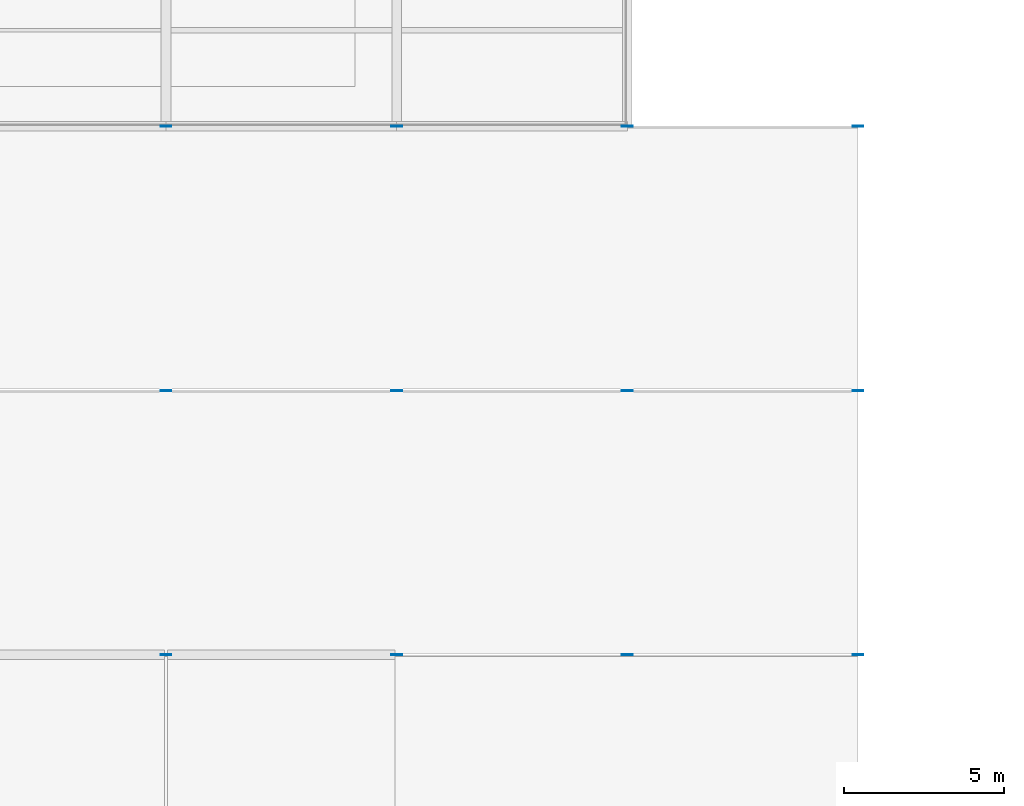
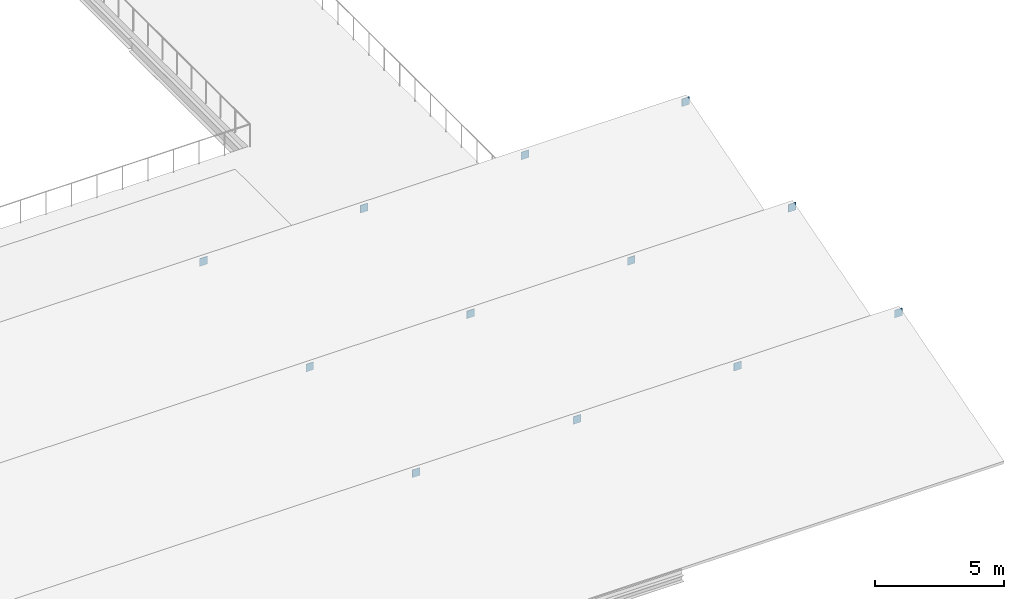
# One storey, part 32 of 54: 12 plates.
"""IFC4 building model written with IfcOpenShell, lengths in metres."""

import ifcopenshell
import ifcopenshell.guid

model = None  # the IFC model being written
_history = None  # IfcOwnerHistory: only IFC2X3 demands one
_inside = {}  # id of a spatial element -> (the spatial element, [elements in it])
_under = {}  # id of a project, library or spatial element -> (it, [spatial elements below it])
_declared = {}  # id of a project -> (the project, [libraries it declares])
_typed = {}  # id of a type object -> (the type object, [elements of that type])
_made_of = {}  # id of a material, layer set ... -> (it, [elements and type objects made of it])


def new_model(schema):
    """Start an empty IFC model of exactly this schema.

    Asked for "IFC4X3", IfcOpenShell would pick the latest addendum, in which some entities
    have other attributes; the version numbers below select the first issue.
    IFC2X3 requires an IfcOwnerHistory on every rooted entity: one is made here for all.
    """
    global model, _history
    if schema == "IFC4X3":
        model = ifcopenshell.file(schema_version=(4, 3, 0, 0))
    else:
        model = ifcopenshell.file(schema=schema)
    _inside.clear()
    _under.clear()
    _declared.clear()
    _typed.clear()
    _made_of.clear()
    _history = None
    if model.schema == "IFC2X3":
        org = make("IfcOrganization", Name="unknown")
        user = make(
            "IfcPersonAndOrganization",
            ThePerson=make("IfcPerson", FamilyName="unknown"),
            TheOrganization=org,
        )
        app = make(
            "IfcApplication",
            ApplicationDeveloper=org,
            Version="unknown",
            ApplicationFullName="unknown",
            ApplicationIdentifier="unknown",
        )
        _history = make(
            "IfcOwnerHistory",
            OwningUser=user,
            OwningApplication=app,
            ChangeAction="ADDED",
            CreationDate=0,
        )
    return model


def make(cls, **values):
    """One entity of the class cls with the attributes given. An attribute that is None is left unset."""
    return model.create_entity(
        cls, **{name: value for name, value in values.items() if value is not None}
    )


def rooted(cls, **values):
    """An entity with a GlobalId (a new one), such as an element, a storey or a relation."""
    return make(cls, GlobalId=ifcopenshell.guid.new(), OwnerHistory=_history, **values)


def si_unit(unit_type, name, prefix=None):
    """IfcSIUnit, for example si_unit("LENGTHUNIT", "METRE", prefix="MILLI")."""
    return make("IfcSIUnit", UnitType=unit_type, Prefix=prefix, Name=name)


def assignment(units):
    """IfcUnitAssignment: the units of a project."""
    return None if units is None else make("IfcUnitAssignment", Units=units)


def point(xyz):
    """IfcCartesianPoint."""
    return None if xyz is None else make("IfcCartesianPoint", Coordinates=xyz)


def direction(xyz):
    """IfcDirection."""
    return None if xyz is None else make("IfcDirection", DirectionRatios=xyz)


def frame(location, z_axis=None, x_axis=None):
    """IfcAxis2Placement3D, a coordinate frame: its origin and axes. An axis left out is left unset."""
    return make(
        "IfcAxis2Placement3D",
        Location=point(location),
        Axis=direction(z_axis),
        RefDirection=direction(x_axis),
    )


def frame_2d(location, x_axis=None):
    """IfcAxis2Placement2D, a coordinate frame in the plane: its origin and x axis."""
    return make(
        "IfcAxis2Placement2D", Location=point(location), RefDirection=direction(x_axis)
    )


def origin():
    """The frame at (0, 0, 0) with its axes left unset."""
    return frame((0.0, 0.0, 0.0))


def origin_2d():
    """The frame at (0, 0) in the plane with its x axis left unset."""
    return frame_2d((0.0, 0.0))


def place(relative_to, where):
    """IfcLocalPlacement: puts the frame where relative to a parent placement (None: the world)."""
    return make(
        "IfcLocalPlacement", PlacementRelTo=relative_to, RelativePlacement=where
    )


def context(
    kind, dimensions, precision=None, world=None, true_north=None, identifier=None
):
    """IfcGeometricRepresentationContext, for example the 3D "Model" context."""
    return make(
        "IfcGeometricRepresentationContext",
        ContextIdentifier=identifier,
        ContextType=kind,
        CoordinateSpaceDimension=dimensions,
        Precision=precision,
        WorldCoordinateSystem=world,
        TrueNorth=true_north,
    )


def subcontext(parent, identifier, kind, view, scale=None):
    """IfcGeometricRepresentationSubContext, for example "Body" below "Model"."""
    return make(
        "IfcGeometricRepresentationSubContext",
        ContextIdentifier=identifier,
        ContextType=kind,
        ParentContext=parent,
        TargetScale=scale,
        TargetView=view,
    )


def project(units=None, contexts=None):
    """IfcProject with its units and contexts."""
    return rooted(
        "IfcProject",
        Name="project",
        RepresentationContexts=contexts,
        UnitsInContext=assignment(units),
    )


def spatial(cls, under=None, at=None, **own):
    """A site, building, storey or space (cls), placed at a placement, below another one or the project."""
    s = rooted(cls, ObjectPlacement=at, **own)
    if under is not None:
        _under.setdefault(under.id(), (under, []))[1].append(s)
    return s


def profile(cls, at=None, kind="AREA", **sizes):
    """A parametric profile (cls). Its sizes go by their IFC names, for example OverallWidth=200.0."""
    return make(cls, ProfileType=kind, Position=at, **sizes)


def rectangle(**sizes):
    """IfcRectangleProfileDef."""
    return profile("IfcRectangleProfileDef", **sizes)


def extrude(swept, where, along, depth):
    """IfcExtrudedAreaSolid: the profile swept, set in the frame where, extruded along a direction by depth."""
    return make(
        "IfcExtrudedAreaSolid",
        SweptArea=swept,
        Position=where,
        ExtrudedDirection=direction(along),
        Depth=depth,
    )


def shape(context_of_items, identifier, shape_type, items):
    """IfcShapeRepresentation: the items that make up one representation, for example the "Body"."""
    return make(
        "IfcShapeRepresentation",
        ContextOfItems=context_of_items,
        RepresentationIdentifier=identifier,
        RepresentationType=shape_type,
        Items=items,
    )


def material(Name=None, Category=None):
    """IfcMaterial."""
    return make("IfcMaterial", Name=Name, Category=Category)


def layer(
    of_material, thickness, ventilated=None, Name=None, Category=None, Priority=None
):
    """IfcMaterialLayer: one layer of a wall or slab, of a material (None: an air gap)."""
    return make(
        "IfcMaterialLayer",
        Material=of_material,
        LayerThickness=thickness,
        IsVentilated=ventilated,
        Name=Name,
        Category=Category,
        Priority=Priority,
    )


def layer_set(layers, Name=None):
    """IfcMaterialLayerSet."""
    return make("IfcMaterialLayerSet", MaterialLayers=layers, LayerSetName=Name)


def made_of(thing, what):
    """Note that an element or type object is made of a material, layer set ...; save() writes the relation."""
    if what is not None:
        _made_of.setdefault(what.id(), (what, []))[1].append(thing)
    return thing


def type_object(cls, material=None, **own):
    """A type object (cls), such as IfcWallType, which elements share."""
    return made_of(rooted(cls, **own), material)


def element(
    cls,
    number,
    at=None,
    inside=None,
    cuts=None,
    type_object=None,
    material=None,
    context=None,
    identifier="Body",
    shape_type=None,
    held_by="IfcProductDefinitionShape",
    body=None,
    shapes=None,
    **own,
):
    """One element of the class cls, such as IfcWall. Its Tag is "e" and its number.

    at: its placement. inside: the storey or other place that contains it. cuts: it is an
    opening in that element (IfcRelVoidsElement). A single representation is given by context,
    identifier, shape_type and body (its items); several are given by shapes. held_by: the class
    of the entity that holds the representations. save() writes the other relations.
    """
    e = rooted(cls, Tag="e%d" % number, ObjectPlacement=at, **own)
    if body is not None:
        shapes = [shape(context, identifier, shape_type, body)]
    if shapes is not None:
        e.Representation = make(held_by, Representations=shapes)
    if inside is not None:
        _inside.setdefault(inside.id(), (inside, []))[1].append(e)
    if cuts is not None:
        rooted(
            "IfcRelVoidsElement", RelatingBuildingElement=cuts, RelatedOpeningElement=e
        )
    if type_object is not None:
        _typed.setdefault(type_object.id(), (type_object, []))[1].append(e)
    return made_of(e, material)


def aggregate(whole, parts):
    """IfcRelAggregates: a whole, such as a stair, and the parts it consists of."""
    return rooted("IfcRelAggregates", RelatingObject=whole, RelatedObjects=parts)


def save(model, path):
    """Write the relations noted so far, then the file.

    IfcRelAggregates (storeys below a building ...), IfcRelContainedInSpatialStructure (elements
    in a storey), IfcRelDefinesByType, IfcRelAssociatesMaterial and IfcRelDeclares: one each for
    every whole, place, type object, material and project.
    """
    for whole, parts in _under.values():
        aggregate(whole, parts)
    for where, things in _inside.values():
        rooted(
            "IfcRelContainedInSpatialStructure",
            RelatedElements=things,
            RelatingStructure=where,
        )
    for kind, things in _typed.values():
        rooted("IfcRelDefinesByType", RelatedObjects=things, RelatingType=kind)
    for what, things in _made_of.values():
        rooted("IfcRelAssociatesMaterial", RelatedObjects=things, RelatingMaterial=what)
    for by, libraries in _declared.values():
        rooted("IfcRelDeclares", RelatingContext=by, RelatedDefinitions=libraries)
    model.write(path)


model = new_model("IFC4")

# Units and contexts
model_context = context("Model", 3, precision=1e-05, world=origin(), true_north=direction((0.0, 1.0)))
body_context = subcontext(model_context, "Body", "Model", "MODEL_VIEW")
ifc_project = project(units=[si_unit("LENGTHUNIT", "METRE"), si_unit("AREAUNIT", "SQUARE_METRE"), si_unit("VOLUMEUNIT", "CUBIC_METRE"), si_unit("PLANEANGLEUNIT", "RADIAN"), si_unit("MASSUNIT", "GRAM", prefix="KILO")], contexts=[model_context])

# Site, building, storey
site_placement = place(None, origin())
site = spatial("IfcSite", under=ifc_project, at=site_placement, CompositionType="ELEMENT")
building_placement = place(site_placement, origin())
building = spatial("IfcBuilding", under=site, at=building_placement, Name="Sundgate Opera House", CompositionType="ELEMENT")
storey_placement = place(building_placement, frame((0.0, 0.0, 16.800048828125)))
storey = spatial("IfcBuildingStorey", under=building, at=storey_placement, Name="L03", CompositionType="ELEMENT", Elevation=16.800048828125)

# Plates
ifc_material = material(Name="Steel S355J2", Category="steel")
ifc_layer = layer(ifc_material, 0.02587890625)
ifc_layer_set = layer_set([ifc_layer], Name="Steel S355J2")
plate_type = type_object("IfcPlateType", Name="PT-BAS-26", PredefinedType="USERDEFINED", material=ifc_layer_set)
for number, where, z_axis, x_axis, name in (
    (1, (131.39990234375, 16.5, 2.3701171875), (0.0, 0.0, 1.0), (1.0, 0.0, 0.0), "Sawtooth Rafter End Cap PT0803"),
    (2, (138.60009765625, 16.5, 2.3701171875), (0.0, 0.0, 1.0), (1.0, 0.0, 0.0), "Sawtooth Rafter End Cap PT0805"),
    (3, (145.800048828125, 16.5, 2.3701171875), (0.0, 0.0, 1.0), (1.0, 0.0, 0.0), "Sawtooth Rafter End Cap PT0807"),
    (4, (153.0, 16.5, 2.3701171875), (0.0, 0.0, 1.0), (1.0, 0.0, 0.0), "Sawtooth Rafter End Cap PT0809"),
    (5, (131.39990234375, 24.75, 2.3701171875), (0.0, 0.0, 1.0), (1.0, 0.0, 0.0), "Sawtooth Rafter End Cap PT0821"),
    (6, (138.60009765625, 24.75, 2.3701171875), (0.0, 0.0, 1.0), (1.0, 0.0, 0.0), "Sawtooth Rafter End Cap PT0823"),
    (7, (145.800048828125, 24.75, 2.3701171875), (0.0, 0.0, 1.0), (1.0, 0.0, 0.0), "Sawtooth Rafter End Cap PT0825"),
    (8, (153.0, 24.75, 2.3701171875), (0.0, 0.0, 1.0), (1.0, 0.0, 0.0), "Sawtooth Rafter End Cap PT0827"),
    (9, (131.39990234375, 33.0, 2.3701171875), (0.0, 0.0, 1.0), (1.0, 0.0, 0.0), "Sawtooth Rafter End Cap PT0839"),
    (10, (138.60009765625, 33.0, 2.3701171875), (0.0, 0.0, 1.0), (1.0, 0.0, 0.0), "Sawtooth Rafter End Cap PT0841"),
    (11, (145.800048828125, 33.0, 2.3701171875), (0.0, 0.0, 1.0), (1.0, 0.0, 0.0), "Sawtooth Rafter End Cap PT0843"),
    (12, (153.0, 33.0, 2.3701171875), (0.0, 0.0, 1.0), (1.0, 0.0, 0.0), "Sawtooth Rafter End Cap PT0845"),
):
    element("IfcPlate", number, at=place(storey_placement, frame(where, z_axis=z_axis, x_axis=x_axis)), inside=storey, type_object=plate_type, Name=name, ObjectType="BASE PLATE", PredefinedType="USERDEFINED", context=body_context, shape_type="SweptSolid", body=[
        extrude(rectangle(XDim=0.340087890625, YDim=0.02587890625, at=origin_2d()), origin(), (0.0, 0.0, 1.0), 0.360107421875),
    ])

save(model, "model.ifc")
